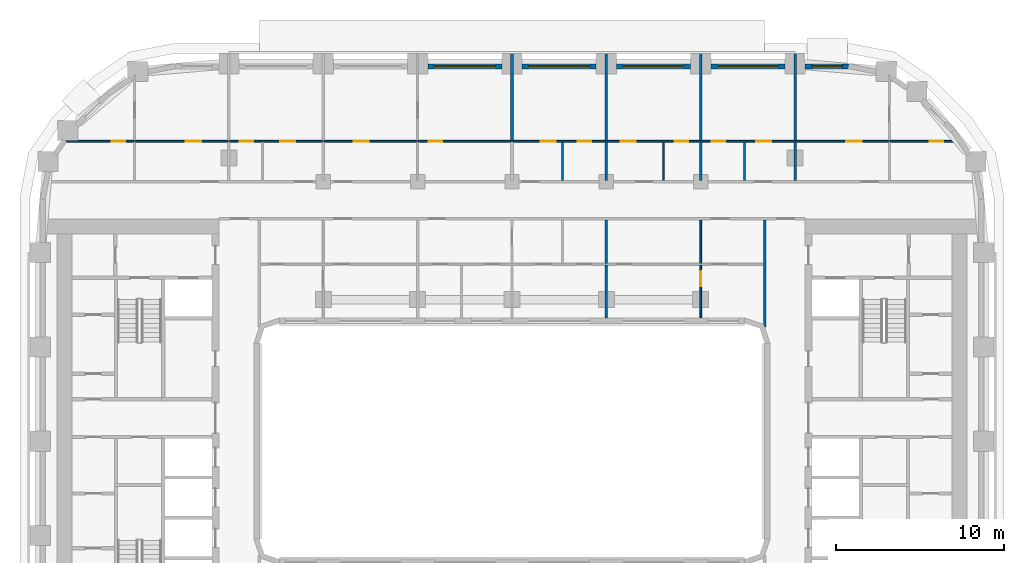
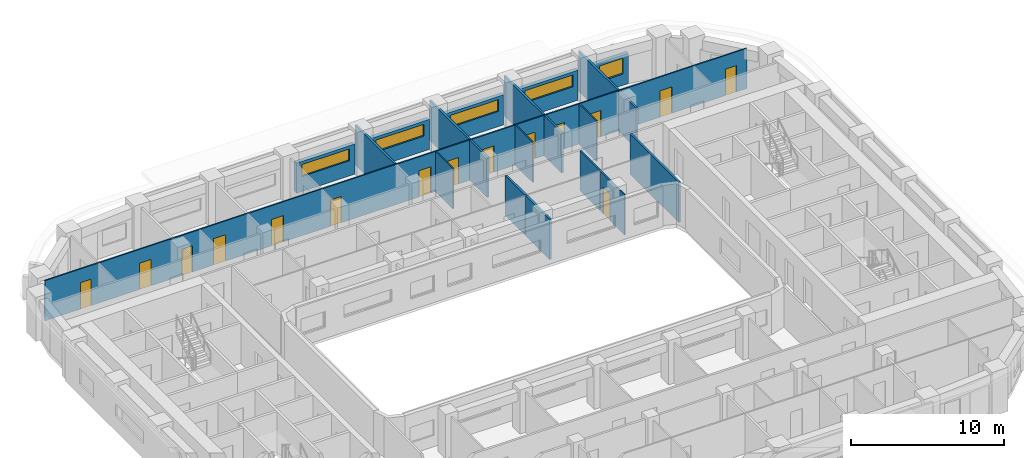
# One storey, part 9 of 21: 21 walls, 15 doors, 5 windows, 20 openings.
"""IFC4 building model written with IfcOpenShell, lengths in metres."""

import ifcopenshell
import ifcopenshell.guid

model = None  # the IFC model being written
_history = None  # IfcOwnerHistory: only IFC2X3 demands one
_inside = {}  # id of a spatial element -> (the spatial element, [elements in it])
_under = {}  # id of a project, library or spatial element -> (it, [spatial elements below it])
_declared = {}  # id of a project -> (the project, [libraries it declares])
_typed = {}  # id of a type object -> (the type object, [elements of that type])
_made_of = {}  # id of a material, layer set ... -> (it, [elements and type objects made of it])


def new_model(schema):
    """Start an empty IFC model of exactly this schema.

    Asked for "IFC4X3", IfcOpenShell would pick the latest addendum, in which some entities
    have other attributes; the version numbers below select the first issue.
    IFC2X3 requires an IfcOwnerHistory on every rooted entity: one is made here for all.
    """
    global model, _history
    if schema == "IFC4X3":
        model = ifcopenshell.file(schema_version=(4, 3, 0, 0))
    else:
        model = ifcopenshell.file(schema=schema)
    _inside.clear()
    _under.clear()
    _declared.clear()
    _typed.clear()
    _made_of.clear()
    _history = None
    if model.schema == "IFC2X3":
        org = make("IfcOrganization", Name="unknown")
        user = make(
            "IfcPersonAndOrganization",
            ThePerson=make("IfcPerson", FamilyName="unknown"),
            TheOrganization=org,
        )
        app = make(
            "IfcApplication",
            ApplicationDeveloper=org,
            Version="unknown",
            ApplicationFullName="unknown",
            ApplicationIdentifier="unknown",
        )
        _history = make(
            "IfcOwnerHistory",
            OwningUser=user,
            OwningApplication=app,
            ChangeAction="ADDED",
            CreationDate=0,
        )
    return model


def make(cls, **values):
    """One entity of the class cls with the attributes given. An attribute that is None is left unset."""
    return model.create_entity(
        cls, **{name: value for name, value in values.items() if value is not None}
    )


def rooted(cls, **values):
    """An entity with a GlobalId (a new one), such as an element, a storey or a relation."""
    return make(cls, GlobalId=ifcopenshell.guid.new(), OwnerHistory=_history, **values)


def si_unit(unit_type, name, prefix=None):
    """IfcSIUnit, for example si_unit("LENGTHUNIT", "METRE", prefix="MILLI")."""
    return make("IfcSIUnit", UnitType=unit_type, Prefix=prefix, Name=name)


def assignment(units):
    """IfcUnitAssignment: the units of a project."""
    return None if units is None else make("IfcUnitAssignment", Units=units)


def point(xyz):
    """IfcCartesianPoint."""
    return None if xyz is None else make("IfcCartesianPoint", Coordinates=xyz)


def direction(xyz):
    """IfcDirection."""
    return None if xyz is None else make("IfcDirection", DirectionRatios=xyz)


def frame(location, z_axis=None, x_axis=None):
    """IfcAxis2Placement3D, a coordinate frame: its origin and axes. An axis left out is left unset."""
    return make(
        "IfcAxis2Placement3D",
        Location=point(location),
        Axis=direction(z_axis),
        RefDirection=direction(x_axis),
    )


def frame_2d(location, x_axis=None):
    """IfcAxis2Placement2D, a coordinate frame in the plane: its origin and x axis."""
    return make(
        "IfcAxis2Placement2D", Location=point(location), RefDirection=direction(x_axis)
    )


def origin():
    """The frame at (0, 0, 0) with its axes left unset."""
    return frame((0.0, 0.0, 0.0))


def place(relative_to, where):
    """IfcLocalPlacement: puts the frame where relative to a parent placement (None: the world)."""
    return make(
        "IfcLocalPlacement", PlacementRelTo=relative_to, RelativePlacement=where
    )


def context(
    kind, dimensions, precision=None, world=None, true_north=None, identifier=None
):
    """IfcGeometricRepresentationContext, for example the 3D "Model" context."""
    return make(
        "IfcGeometricRepresentationContext",
        ContextIdentifier=identifier,
        ContextType=kind,
        CoordinateSpaceDimension=dimensions,
        Precision=precision,
        WorldCoordinateSystem=world,
        TrueNorth=true_north,
    )


def subcontext(parent, identifier, kind, view, scale=None):
    """IfcGeometricRepresentationSubContext, for example "Body" below "Model"."""
    return make(
        "IfcGeometricRepresentationSubContext",
        ContextIdentifier=identifier,
        ContextType=kind,
        ParentContext=parent,
        TargetScale=scale,
        TargetView=view,
    )


def project(units=None, contexts=None):
    """IfcProject with its units and contexts."""
    return rooted(
        "IfcProject",
        Name="project",
        RepresentationContexts=contexts,
        UnitsInContext=assignment(units),
    )


def spatial(cls, under=None, at=None, **own):
    """A site, building, storey or space (cls), placed at a placement, below another one or the project."""
    s = rooted(cls, ObjectPlacement=at, **own)
    if under is not None:
        _under.setdefault(under.id(), (under, []))[1].append(s)
    return s


def profile(cls, at=None, kind="AREA", **sizes):
    """A parametric profile (cls). Its sizes go by their IFC names, for example OverallWidth=200.0."""
    return make(cls, ProfileType=kind, Position=at, **sizes)


def rectangle(**sizes):
    """IfcRectangleProfileDef."""
    return profile("IfcRectangleProfileDef", **sizes)


def extrude(swept, where, along, depth):
    """IfcExtrudedAreaSolid: the profile swept, set in the frame where, extruded along a direction by depth."""
    return make(
        "IfcExtrudedAreaSolid",
        SweptArea=swept,
        Position=where,
        ExtrudedDirection=direction(along),
        Depth=depth,
    )


def shape(context_of_items, identifier, shape_type, items):
    """IfcShapeRepresentation: the items that make up one representation, for example the "Body"."""
    return make(
        "IfcShapeRepresentation",
        ContextOfItems=context_of_items,
        RepresentationIdentifier=identifier,
        RepresentationType=shape_type,
        Items=items,
    )


def material(Name=None, Category=None):
    """IfcMaterial."""
    return make("IfcMaterial", Name=Name, Category=Category)


def layer(
    of_material, thickness, ventilated=None, Name=None, Category=None, Priority=None
):
    """IfcMaterialLayer: one layer of a wall or slab, of a material (None: an air gap)."""
    return make(
        "IfcMaterialLayer",
        Material=of_material,
        LayerThickness=thickness,
        IsVentilated=ventilated,
        Name=Name,
        Category=Category,
        Priority=Priority,
    )


def layer_set(layers, Name=None):
    """IfcMaterialLayerSet."""
    return make("IfcMaterialLayerSet", MaterialLayers=layers, LayerSetName=Name)


def made_of(thing, what):
    """Note that an element or type object is made of a material, layer set ...; save() writes the relation."""
    if what is not None:
        _made_of.setdefault(what.id(), (what, []))[1].append(thing)
    return thing


def type_object(cls, material=None, **own):
    """A type object (cls), such as IfcWallType, which elements share."""
    return made_of(rooted(cls, **own), material)


def element(
    cls,
    number,
    at=None,
    inside=None,
    cuts=None,
    type_object=None,
    material=None,
    context=None,
    identifier="Body",
    shape_type=None,
    held_by="IfcProductDefinitionShape",
    body=None,
    shapes=None,
    **own,
):
    """One element of the class cls, such as IfcWall. Its Tag is "e" and its number.

    at: its placement. inside: the storey or other place that contains it. cuts: it is an
    opening in that element (IfcRelVoidsElement). A single representation is given by context,
    identifier, shape_type and body (its items); several are given by shapes. held_by: the class
    of the entity that holds the representations. save() writes the other relations.
    """
    e = rooted(cls, Tag="e%d" % number, ObjectPlacement=at, **own)
    if body is not None:
        shapes = [shape(context, identifier, shape_type, body)]
    if shapes is not None:
        e.Representation = make(held_by, Representations=shapes)
    if inside is not None:
        _inside.setdefault(inside.id(), (inside, []))[1].append(e)
    if cuts is not None:
        rooted(
            "IfcRelVoidsElement", RelatingBuildingElement=cuts, RelatedOpeningElement=e
        )
    if type_object is not None:
        _typed.setdefault(type_object.id(), (type_object, []))[1].append(e)
    return made_of(e, material)


def fill(opening, filler):
    """IfcRelFillsElement: the door or window that sits in an opening."""
    return rooted(
        "IfcRelFillsElement",
        RelatingOpeningElement=opening,
        RelatedBuildingElement=filler,
    )


def aggregate(whole, parts):
    """IfcRelAggregates: a whole, such as a stair, and the parts it consists of."""
    return rooted("IfcRelAggregates", RelatingObject=whole, RelatedObjects=parts)


def save(model, path):
    """Write the relations noted so far, then the file.

    IfcRelAggregates (storeys below a building ...), IfcRelContainedInSpatialStructure (elements
    in a storey), IfcRelDefinesByType, IfcRelAssociatesMaterial and IfcRelDeclares: one each for
    every whole, place, type object, material and project.
    """
    for whole, parts in _under.values():
        aggregate(whole, parts)
    for where, things in _inside.values():
        rooted(
            "IfcRelContainedInSpatialStructure",
            RelatedElements=things,
            RelatingStructure=where,
        )
    for kind, things in _typed.values():
        rooted("IfcRelDefinesByType", RelatedObjects=things, RelatingType=kind)
    for what, things in _made_of.values():
        rooted("IfcRelAssociatesMaterial", RelatedObjects=things, RelatingMaterial=what)
    for by, libraries in _declared.values():
        rooted("IfcRelDeclares", RelatingContext=by, RelatedDefinitions=libraries)
    model.write(path)


model = new_model("IFC4")

# Units and contexts
model_context = context("Model", 3, precision=1e-05, world=origin(), true_north=direction((0.0, 1.0)))
body_context = subcontext(model_context, "Body", "Model", "MODEL_VIEW")
ifc_project = project(units=[si_unit("LENGTHUNIT", "METRE"), si_unit("AREAUNIT", "SQUARE_METRE"), si_unit("VOLUMEUNIT", "CUBIC_METRE"), si_unit("PLANEANGLEUNIT", "RADIAN"), si_unit("MASSUNIT", "GRAM", prefix="KILO")], contexts=[model_context])

# Site, building, storey
site_placement = place(None, origin())
site = spatial("IfcSite", under=ifc_project, at=site_placement, CompositionType="ELEMENT")
building_placement = place(site_placement, origin())
building = spatial("IfcBuilding", under=site, at=building_placement, Name="Kiln Ring Residences", CompositionType="ELEMENT")
storey_placement = place(building_placement, frame((0.0, 0.0, 114.800048828125)))
storey = spatial("IfcBuildingStorey", under=building, at=storey_placement, Name="L29", CompositionType="ELEMENT", Elevation=114.800048828125)

# Wall, opening, window
ifc_material_1 = material(Name="Brick masonry, dark clay brick", Category="masonry")
ifc_layer_1 = layer(ifc_material_1, 0.300048828125)
ifc_layer_set_1 = layer_set([ifc_layer_1], Name="EW-300 BRICK WALL")
wall_type_1 = type_object("IfcWallType", Name="EW-300 BRICK WALL", PredefinedType="SOLIDWALL", material=ifc_layer_set_1)
wall_1_placement = place(storey_placement, frame((20.0, 22.25, 0.0), z_axis=(0.0, 0.0, 1.0), x_axis=(-1.0, 0.0, 0.0)))
wall_1 = element("IfcWall", 1, at=wall_1_placement, inside=storey, type_object=wall_type_1, Name="Facade wall L29 28", PredefinedType="SOLIDWALL", context=body_context, shape_type="SweptSolid", body=[
    extrude(rectangle(XDim=2.60009765625, YDim=0.300048828125, at=frame_2d((1.300048828125, 0.0))), origin(), (0.0, 0.0, 1.0), 2.39990234375),
])
opening_1_placement = place(wall_1_placement, frame((0.39990234375, 0.0, 0.89990234375)))
opening_1 = element("IfcOpeningElement", 2, at=opening_1_placement, cuts=wall_1, Name="Opening W2", PredefinedType="OPENING", context=body_context, shape_type="SweptSolid", body=[
    extrude(rectangle(XDim=1.800048828125, YDim=1.25, at=frame_2d((0.89990234375, 0.625))), frame((0.0, 0.159912109375, 0.0), z_axis=(0.0, -1.0, 0.0), x_axis=(1.0, 0.0, 0.0)), (0.0, 0.0, 1.0), 0.320068359375),
])
ifc_material_2 = material(Name="Aluminium frame with double glazing", Category="aluminium")
window_type_1 = type_object("IfcWindowType", Name="WINDOW 1800 x 1250", PartitioningType="SINGLE_PANEL", PredefinedType="WINDOW", material=ifc_material_2)
window_1_placement = place(opening_1_placement, origin())
window_1 = element("IfcWindow", 3, at=window_1_placement, inside=storey, type_object=window_type_1, Name="Window L29 14", OverallHeight=1.25, OverallWidth=1.800048828125, PartitioningType="SINGLE_PANEL", PredefinedType="WINDOW", context=body_context, shape_type="SweptSolid", body=[
    extrude(rectangle(XDim=1.800048828125, YDim=1.25, at=frame_2d((0.89990234375, 0.625))), frame((0.0, 0.030029296875, 0.0), z_axis=(0.0, -1.0, 0.0), x_axis=(1.0, 0.0, 0.0)), (0.0, 0.0, 1.0), 0.06005859375),
])
fill(opening_1, window_1)

wall_2_placement = place(storey_placement, frame((16.199951171875, 22.25, 0.0), z_axis=(0.0, 0.0, 1.0), x_axis=(-1.0, 0.0, 0.0)))
wall_2 = element("IfcWall", 4, at=wall_2_placement, inside=storey, type_object=wall_type_1, Name="Facade wall L29 29", PredefinedType="SOLIDWALL", context=body_context, shape_type="SweptSolid", body=[
    extrude(rectangle(XDim=4.39990234375, YDim=0.300048828125, at=frame_2d((2.199951171875, 0.0))), origin(), (0.0, 0.0, 1.0), 2.39990234375),
])
opening_2_placement = place(wall_2_placement, frame((0.39990234375, 0.0, 1.199951171875)))
opening_2 = element("IfcOpeningElement", 5, at=opening_2_placement, cuts=wall_2, Name="Opening W4", PredefinedType="OPENING", context=body_context, shape_type="SweptSolid", body=[
    extrude(rectangle(XDim=3.60009765625, YDim=0.949951171875, at=frame_2d((1.800048828125, 0.47509765625))), frame((0.0, 0.159912109375, 0.0), z_axis=(0.0, -1.0, 0.0), x_axis=(1.0, 0.0, 0.0)), (0.0, 0.0, 1.0), 0.320068359375),
])
ifc_material_3 = material(Name="Aluminium frame with double glazing", Category="aluminium")
window_type_2 = type_object("IfcWindowType", Name="WINDOW 3600 x 950", PartitioningType="SINGLE_PANEL", PredefinedType="WINDOW", material=ifc_material_3)
window_2_placement = place(opening_2_placement, origin())
window_2 = element("IfcWindow", 6, at=window_2_placement, inside=storey, type_object=window_type_2, Name="Window L29 15", OverallHeight=0.949951171875, OverallWidth=3.60009765625, PartitioningType="SINGLE_PANEL", PredefinedType="WINDOW", context=body_context, shape_type="SweptSolid", body=[
    extrude(rectangle(XDim=3.60009765625, YDim=0.949951171875, at=frame_2d((1.800048828125, 0.47509765625))), frame((0.0, 0.030029296875, 0.0), z_axis=(0.0, -1.0, 0.0), x_axis=(1.0, 0.0, 0.0)), (0.0, 0.0, 1.0), 0.06005859375),
])
fill(opening_2, window_2)

wall_3_placement = place(storey_placement, frame((10.60009765625, 22.25, 0.0), z_axis=(0.0, 0.0, 1.0), x_axis=(-1.0, 0.0, 0.0)))
wall_3 = element("IfcWall", 7, at=wall_3_placement, inside=storey, type_object=wall_type_1, Name="Facade wall L29 30", PredefinedType="SOLIDWALL", context=body_context, shape_type="SweptSolid", body=[
    extrude(rectangle(XDim=4.400146484375, YDim=0.300048828125, at=frame_2d((2.2001953125, 0.0))), origin(), (0.0, 0.0, 1.0), 2.39990234375),
])
opening_3_placement = place(wall_3_placement, frame((0.39990234375, 0.0, 1.199951171875)))
opening_3 = element("IfcOpeningElement", 8, at=opening_3_placement, cuts=wall_3, Name="Opening W4", PredefinedType="OPENING", context=body_context, shape_type="SweptSolid", body=[
    extrude(rectangle(XDim=3.60009765625, YDim=0.949951171875, at=frame_2d((1.800048828125, 0.47509765625))), frame((0.0, 0.159912109375, 0.0), z_axis=(0.0, -1.0, 0.0), x_axis=(1.0, 0.0, 0.0)), (0.0, 0.0, 1.0), 0.320068359375),
])
window_3_placement = place(opening_3_placement, origin())
window_3 = element("IfcWindow", 9, at=window_3_placement, inside=storey, type_object=window_type_2, Name="Window L29 16", OverallHeight=0.949951171875, OverallWidth=3.60009765625, PartitioningType="SINGLE_PANEL", PredefinedType="WINDOW", context=body_context, shape_type="SweptSolid", body=[
    extrude(rectangle(XDim=3.60009765625, YDim=0.949951171875, at=frame_2d((1.800048828125, 0.47509765625))), frame((0.0, 0.030029296875, 0.0), z_axis=(0.0, -1.0, 0.0), x_axis=(1.0, 0.0, 0.0)), (0.0, 0.0, 1.0), 0.06005859375),
])
fill(opening_3, window_3)

wall_4_placement = place(storey_placement, frame((5.0, 22.25, 0.0), z_axis=(0.0, 0.0, 1.0), x_axis=(-1.0, 0.0, 0.0)))
wall_4 = element("IfcWall", 10, at=wall_4_placement, inside=storey, type_object=wall_type_1, Name="Facade wall L29 31", PredefinedType="SOLIDWALL", context=body_context, shape_type="SweptSolid", body=[
    extrude(rectangle(XDim=4.39990234375, YDim=0.300048828125, at=frame_2d((2.199951171875, 0.0))), origin(), (0.0, 0.0, 1.0), 2.39990234375),
])
opening_4_placement = place(wall_4_placement, frame((0.39990234375, 0.0, 1.199951171875)))
opening_4 = element("IfcOpeningElement", 11, at=opening_4_placement, cuts=wall_4, Name="Opening W4", PredefinedType="OPENING", context=body_context, shape_type="SweptSolid", body=[
    extrude(rectangle(XDim=3.60009765625, YDim=0.949951171875, at=frame_2d((1.800048828125, 0.47509765625))), frame((0.0, 0.159912109375, 0.0), z_axis=(0.0, -1.0, 0.0), x_axis=(1.0, 0.0, 0.0)), (0.0, 0.0, 1.0), 0.320068359375),
])
window_4_placement = place(opening_4_placement, origin())
window_4 = element("IfcWindow", 12, at=window_4_placement, inside=storey, type_object=window_type_2, Name="Window L29 17", OverallHeight=0.949951171875, OverallWidth=3.60009765625, PartitioningType="SINGLE_PANEL", PredefinedType="WINDOW", context=body_context, shape_type="SweptSolid", body=[
    extrude(rectangle(XDim=3.60009765625, YDim=0.949951171875, at=frame_2d((1.800048828125, 0.47509765625))), frame((0.0, 0.030029296875, 0.0), z_axis=(0.0, -1.0, 0.0), x_axis=(1.0, 0.0, 0.0)), (0.0, 0.0, 1.0), 0.06005859375),
])
fill(opening_4, window_4)

wall_5_placement = place(storey_placement, frame((-0.60009765625, 22.25, 0.0), z_axis=(0.0, 0.0, 1.0), x_axis=(-1.0, 0.0, 0.0)))
wall_5 = element("IfcWall", 13, at=wall_5_placement, inside=storey, type_object=wall_type_1, Name="Facade wall L29 32", PredefinedType="SOLIDWALL", context=body_context, shape_type="SweptSolid", body=[
    extrude(rectangle(XDim=4.39990234375, YDim=0.300048828125, at=frame_2d((2.199951171875, 0.0))), origin(), (0.0, 0.0, 1.0), 2.39990234375),
])
opening_5_placement = place(wall_5_placement, frame((0.39990234375, 0.0, 1.199951171875)))
opening_5 = element("IfcOpeningElement", 14, at=opening_5_placement, cuts=wall_5, Name="Opening W4", PredefinedType="OPENING", context=body_context, shape_type="SweptSolid", body=[
    extrude(rectangle(XDim=3.60009765625, YDim=0.949951171875, at=frame_2d((1.800048828125, 0.47509765625))), frame((0.0, 0.159912109375, 0.0), z_axis=(0.0, -1.0, 0.0), x_axis=(1.0, 0.0, 0.0)), (0.0, 0.0, 1.0), 0.320068359375),
])
window_5_placement = place(opening_5_placement, origin())
window_5 = element("IfcWindow", 15, at=window_5_placement, inside=storey, type_object=window_type_2, Name="Window L29 18", OverallHeight=0.949951171875, OverallWidth=3.60009765625, PartitioningType="SINGLE_PANEL", PredefinedType="WINDOW", context=body_context, shape_type="SweptSolid", body=[
    extrude(rectangle(XDim=3.60009765625, YDim=0.949951171875, at=frame_2d((1.800048828125, 0.47509765625))), frame((0.0, 0.030029296875, 0.0), z_axis=(0.0, -1.0, 0.0), x_axis=(1.0, 0.0, 0.0)), (0.0, 0.0, 1.0), 0.06005859375),
])
fill(opening_5, window_5)

# Wall, openings, doors
ifc_material_4 = material(Name="Gypsum board on steel studs", Category="steel")
ifc_layer_2 = layer(ifc_material_4, 0.10009765625)
ifc_layer_set_2 = layer_set([ifc_layer_2], Name="PARTITION-100")
wall_type_2 = type_object("IfcWallType", Name="PARTITION-100", PredefinedType="PARTITIONING", material=ifc_layer_set_2)
wall_6_placement = place(storey_placement, frame((-26.465087890625, 17.800048828125, 0.0), z_axis=(0.0, 0.0, 1.0), x_axis=(1.0, 0.0, 0.0)))
wall_6 = element("IfcWall", 16, at=wall_6_placement, inside=storey, type_object=wall_type_2, Name="Partition 006", PredefinedType="PARTITIONING", context=body_context, shape_type="SweptSolid", body=[
    extrude(rectangle(XDim=52.859130859375, YDim=0.10009765625, at=frame_2d((26.4296875, 0.0))), origin(), (0.0, 0.0, 1.0), 3.199951171875),
])
opening_6_placement = place(wall_6_placement, frame((2.697265625, 0.0, 0.0)))
opening_6 = element("IfcOpeningElement", 17, at=opening_6_placement, cuts=wall_6, Name="Opening L29-D020", PredefinedType="OPENING", context=body_context, shape_type="SweptSolid", body=[
    extrude(rectangle(XDim=0.800048828125, YDim=2.10009765625, at=frame_2d((0.39990234375, 1.050048828125))), frame((0.0, 0.06005859375, 0.0), z_axis=(0.0, -1.0, 0.0), x_axis=(1.0, 0.0, 0.0)), (0.0, 0.0, 1.0), 0.1201171875),
])
opening_7_placement = place(wall_6_placement, frame((7.115234375, 0.0, 0.0)))
opening_7 = element("IfcOpeningElement", 18, at=opening_7_placement, cuts=wall_6, Name="Opening L29-D021", PredefinedType="OPENING", context=body_context, shape_type="SweptSolid", body=[
    extrude(rectangle(XDim=0.89990234375, YDim=2.10009765625, at=frame_2d((0.449951171875, 1.050048828125))), frame((0.0, 0.06005859375, 0.0), z_axis=(0.0, -1.0, 0.0), x_axis=(1.0, 0.0, 0.0)), (0.0, 0.0, 1.0), 0.1201171875),
])
opening_8_placement = place(wall_6_placement, frame((10.315185546875, 0.0, 0.0)))
opening_8 = element("IfcOpeningElement", 19, at=opening_8_placement, cuts=wall_6, Name="Opening L29-D024", PredefinedType="OPENING", context=body_context, shape_type="SweptSolid", body=[
    extrude(rectangle(XDim=0.800048828125, YDim=2.10009765625, at=frame_2d((0.39990234375, 1.050048828125))), frame((0.0, 0.06005859375, 0.0), z_axis=(0.0, -1.0, 0.0), x_axis=(1.0, 0.0, 0.0)), (0.0, 0.0, 1.0), 0.1201171875),
])
opening_9_placement = place(wall_6_placement, frame((12.715087890625, 0.0, 0.0)))
opening_9 = element("IfcOpeningElement", 20, at=opening_9_placement, cuts=wall_6, Name="Opening L29-D025", PredefinedType="OPENING", context=body_context, shape_type="SweptSolid", body=[
    extrude(rectangle(XDim=0.89990234375, YDim=2.10009765625, at=frame_2d((0.449951171875, 1.050048828125))), frame((0.0, 0.06005859375, 0.0), z_axis=(0.0, -1.0, 0.0), x_axis=(1.0, 0.0, 0.0)), (0.0, 0.0, 1.0), 0.1201171875),
])
opening_10_placement = place(wall_6_placement, frame((21.51513671875, 0.0, 0.0)))
opening_10 = element("IfcOpeningElement", 21, at=opening_10_placement, cuts=wall_6, Name="Opening L29-D027", PredefinedType="OPENING", context=body_context, shape_type="SweptSolid", body=[
    extrude(rectangle(XDim=0.800048828125, YDim=2.10009765625, at=frame_2d((0.39990234375, 1.050048828125))), frame((0.0, 0.06005859375, 0.0), z_axis=(0.0, -1.0, 0.0), x_axis=(1.0, 0.0, 0.0)), (0.0, 0.0, 1.0), 0.1201171875),
])
opening_11_placement = place(wall_6_placement, frame((17.065185546875, 0.0, 0.0)))
opening_11 = element("IfcOpeningElement", 22, at=opening_11_placement, cuts=wall_6, Name="Opening L29-D028", PredefinedType="OPENING", context=body_context, shape_type="SweptSolid", body=[
    extrude(rectangle(XDim=0.89990234375, YDim=2.10009765625, at=frame_2d((0.449951171875, 1.050048828125))), frame((0.0, 0.06005859375, 0.0), z_axis=(0.0, -1.0, 0.0), x_axis=(1.0, 0.0, 0.0)), (0.0, 0.0, 1.0), 0.1201171875),
])
opening_12_placement = place(wall_6_placement, frame((30.365234375, 0.0, 0.0)))
opening_12 = element("IfcOpeningElement", 23, at=opening_12_placement, cuts=wall_6, Name="Opening L29-D031", PredefinedType="OPENING", context=body_context, shape_type="SweptSolid", body=[
    extrude(rectangle(XDim=0.800048828125, YDim=2.10009765625, at=frame_2d((0.39990234375, 1.050048828125))), frame((0.0, 0.06005859375, 0.0), z_axis=(0.0, -1.0, 0.0), x_axis=(1.0, 0.0, 0.0)), (0.0, 0.0, 1.0), 0.1201171875),
])
opening_13_placement = place(wall_6_placement, frame((28.165283203125, 0.0, 0.0)))
opening_13 = element("IfcOpeningElement", 24, at=opening_13_placement, cuts=wall_6, Name="Opening L29-D032", PredefinedType="OPENING", context=body_context, shape_type="SweptSolid", body=[
    extrude(rectangle(XDim=0.89990234375, YDim=2.10009765625, at=frame_2d((0.449951171875, 1.050048828125))), frame((0.0, 0.06005859375, 0.0), z_axis=(0.0, -1.0, 0.0), x_axis=(1.0, 0.0, 0.0)), (0.0, 0.0, 1.0), 0.1201171875),
])
opening_14_placement = place(wall_6_placement, frame((36.115234375, 0.0, 0.0)))
opening_14 = element("IfcOpeningElement", 25, at=opening_14_placement, cuts=wall_6, Name="Opening L29-D034", PredefinedType="OPENING", context=body_context, shape_type="SweptSolid", body=[
    extrude(rectangle(XDim=0.800048828125, YDim=2.10009765625, at=frame_2d((0.39990234375, 1.050048828125))), frame((0.0, 0.06005859375, 0.0), z_axis=(0.0, -1.0, 0.0), x_axis=(1.0, 0.0, 0.0)), (0.0, 0.0, 1.0), 0.1201171875),
])
opening_15_placement = place(wall_6_placement, frame((32.915283203125, 0.0, 0.0)))
opening_15 = element("IfcOpeningElement", 26, at=opening_15_placement, cuts=wall_6, Name="Opening L29-D035", PredefinedType="OPENING", context=body_context, shape_type="SweptSolid", body=[
    extrude(rectangle(XDim=0.89990234375, YDim=2.10009765625, at=frame_2d((0.449951171875, 1.050048828125))), frame((0.0, 0.06005859375, 0.0), z_axis=(0.0, -1.0, 0.0), x_axis=(1.0, 0.0, 0.0)), (0.0, 0.0, 1.0), 0.1201171875),
])
opening_16_placement = place(wall_6_placement, frame((38.315185546875, 0.0, 0.0)))
opening_16 = element("IfcOpeningElement", 27, at=opening_16_placement, cuts=wall_6, Name="Opening L29-D037", PredefinedType="OPENING", context=body_context, shape_type="SweptSolid", body=[
    extrude(rectangle(XDim=0.800048828125, YDim=2.10009765625, at=frame_2d((0.39990234375, 1.050048828125))), frame((0.0, 0.06005859375, 0.0), z_axis=(0.0, -1.0, 0.0), x_axis=(1.0, 0.0, 0.0)), (0.0, 0.0, 1.0), 0.1201171875),
])
opening_17_placement = place(wall_6_placement, frame((40.965087890625, 0.0, 0.0)))
opening_17 = element("IfcOpeningElement", 28, at=opening_17_placement, cuts=wall_6, Name="Opening L29-D038", PredefinedType="OPENING", context=body_context, shape_type="SweptSolid", body=[
    extrude(rectangle(XDim=0.89990234375, YDim=2.10009765625, at=frame_2d((0.449951171875, 1.050048828125))), frame((0.0, 0.06005859375, 0.0), z_axis=(0.0, -1.0, 0.0), x_axis=(1.0, 0.0, 0.0)), (0.0, 0.0, 1.0), 0.1201171875),
])
opening_18_placement = place(wall_6_placement, frame((51.26513671875, 0.0, 0.0)))
opening_18 = element("IfcOpeningElement", 29, at=opening_18_placement, cuts=wall_6, Name="Opening L29-D040", PredefinedType="OPENING", context=body_context, shape_type="SweptSolid", body=[
    extrude(rectangle(XDim=0.800048828125, YDim=2.10009765625, at=frame_2d((0.39990234375, 1.050048828125))), frame((0.0, 0.06005859375, 0.0), z_axis=(0.0, -1.0, 0.0), x_axis=(1.0, 0.0, 0.0)), (0.0, 0.0, 1.0), 0.1201171875),
])
opening_19_placement = place(wall_6_placement, frame((46.315185546875, 0.0, 0.0)))
opening_19 = element("IfcOpeningElement", 30, at=opening_19_placement, cuts=wall_6, Name="Opening L29-D041", PredefinedType="OPENING", context=body_context, shape_type="SweptSolid", body=[
    extrude(rectangle(XDim=0.89990234375, YDim=2.10009765625, at=frame_2d((0.449951171875, 1.050048828125))), frame((0.0, 0.06005859375, 0.0), z_axis=(0.0, -1.0, 0.0), x_axis=(1.0, 0.0, 0.0)), (0.0, 0.0, 1.0), 0.1201171875),
])
ifc_material_5 = material(Name="Timber door leaf", Category="wood")
door_type_1 = type_object("IfcDoorType", Name="FLAT-DOOR-800-PL", OperationType="SINGLE_SWING_LEFT", PredefinedType="DOOR", material=ifc_material_5)
door_1_placement = place(opening_6_placement, origin())
door_1 = element("IfcDoor", 31, at=door_1_placement, inside=storey, type_object=door_type_1, Name="Door L29-D020", OperationType="SINGLE_SWING_RIGHT", OverallHeight=2.10009765625, OverallWidth=0.800048828125, PredefinedType="DOOR", context=body_context, shape_type="SweptSolid", body=[
    extrude(rectangle(XDim=0.800048828125, YDim=2.10009765625, at=frame_2d((0.39990234375, 1.050048828125))), frame((0.0, 0.02490234375, 0.0), z_axis=(0.0, -1.0, 0.0), x_axis=(1.0, 0.0, 0.0)), (0.0, 0.0, 1.0), 0.050048828125),
])
fill(opening_6, door_1)
door_2_placement = place(opening_8_placement, origin())
door_2 = element("IfcDoor", 32, at=door_2_placement, inside=storey, type_object=door_type_1, Name="Door L29-D024", OperationType="SINGLE_SWING_RIGHT", OverallHeight=2.10009765625, OverallWidth=0.800048828125, PredefinedType="DOOR", context=body_context, shape_type="SweptSolid", body=[
    extrude(rectangle(XDim=0.800048828125, YDim=2.10009765625, at=frame_2d((0.39990234375, 1.050048828125))), frame((0.0, 0.02490234375, 0.0), z_axis=(0.0, -1.0, 0.0), x_axis=(1.0, 0.0, 0.0)), (0.0, 0.0, 1.0), 0.050048828125),
])
fill(opening_8, door_2)
door_3_placement = place(opening_10_placement, origin())
door_3 = element("IfcDoor", 33, at=door_3_placement, inside=storey, type_object=door_type_1, Name="Door L29-D027", OperationType="SINGLE_SWING_LEFT", OverallHeight=2.10009765625, OverallWidth=0.800048828125, PredefinedType="DOOR", context=body_context, shape_type="SweptSolid", body=[
    extrude(rectangle(XDim=0.800048828125, YDim=2.10009765625, at=frame_2d((0.39990234375, 1.050048828125))), frame((0.0, 0.02490234375, 0.0), z_axis=(0.0, -1.0, 0.0), x_axis=(1.0, 0.0, 0.0)), (0.0, 0.0, 1.0), 0.050048828125),
])
fill(opening_10, door_3)
door_4_placement = place(opening_12_placement, origin())
door_4 = element("IfcDoor", 34, at=door_4_placement, inside=storey, type_object=door_type_1, Name="Door L29-D031", OperationType="SINGLE_SWING_LEFT", OverallHeight=2.10009765625, OverallWidth=0.800048828125, PredefinedType="DOOR", context=body_context, shape_type="SweptSolid", body=[
    extrude(rectangle(XDim=0.800048828125, YDim=2.10009765625, at=frame_2d((0.39990234375, 1.050048828125))), frame((0.0, 0.02490234375, 0.0), z_axis=(0.0, -1.0, 0.0), x_axis=(1.0, 0.0, 0.0)), (0.0, 0.0, 1.0), 0.050048828125),
])
fill(opening_12, door_4)
door_5_placement = place(opening_14_placement, origin())
door_5 = element("IfcDoor", 35, at=door_5_placement, inside=storey, type_object=door_type_1, Name="Door L29-D034", OperationType="SINGLE_SWING_RIGHT", OverallHeight=2.10009765625, OverallWidth=0.800048828125, PredefinedType="DOOR", context=body_context, shape_type="SweptSolid", body=[
    extrude(rectangle(XDim=0.800048828125, YDim=2.10009765625, at=frame_2d((0.39990234375, 1.050048828125))), frame((0.0, 0.02490234375, 0.0), z_axis=(0.0, -1.0, 0.0), x_axis=(1.0, 0.0, 0.0)), (0.0, 0.0, 1.0), 0.050048828125),
])
fill(opening_14, door_5)
door_6_placement = place(opening_16_placement, origin())
door_6 = element("IfcDoor", 36, at=door_6_placement, inside=storey, type_object=door_type_1, Name="Door L29-D037", OperationType="SINGLE_SWING_LEFT", OverallHeight=2.10009765625, OverallWidth=0.800048828125, PredefinedType="DOOR", context=body_context, shape_type="SweptSolid", body=[
    extrude(rectangle(XDim=0.800048828125, YDim=2.10009765625, at=frame_2d((0.39990234375, 1.050048828125))), frame((0.0, 0.02490234375, 0.0), z_axis=(0.0, -1.0, 0.0), x_axis=(1.0, 0.0, 0.0)), (0.0, 0.0, 1.0), 0.050048828125),
])
fill(opening_16, door_6)
door_7_placement = place(opening_18_placement, origin())
door_7 = element("IfcDoor", 37, at=door_7_placement, inside=storey, type_object=door_type_1, Name="Door L29-D040", OperationType="SINGLE_SWING_RIGHT", OverallHeight=2.10009765625, OverallWidth=0.800048828125, PredefinedType="DOOR", context=body_context, shape_type="SweptSolid", body=[
    extrude(rectangle(XDim=0.800048828125, YDim=2.10009765625, at=frame_2d((0.39990234375, 1.050048828125))), frame((0.0, 0.02490234375, 0.0), z_axis=(0.0, -1.0, 0.0), x_axis=(1.0, 0.0, 0.0)), (0.0, 0.0, 1.0), 0.050048828125),
])
fill(opening_18, door_7)
ifc_material_6 = material(Name="Timber door leaf", Category="wood")
door_type_2 = type_object("IfcDoorType", Name="FLAT-DOOR-900-PL", OperationType="SINGLE_SWING_LEFT", PredefinedType="DOOR", material=ifc_material_6)
door_8_placement = place(opening_7_placement, origin())
door_8 = element("IfcDoor", 38, at=door_8_placement, inside=storey, type_object=door_type_2, Name="Door L29-D021", OperationType="SINGLE_SWING_LEFT", OverallHeight=2.10009765625, OverallWidth=0.89990234375, PredefinedType="DOOR", context=body_context, shape_type="SweptSolid", body=[
    extrude(rectangle(XDim=0.89990234375, YDim=2.10009765625, at=frame_2d((0.449951171875, 1.050048828125))), frame((0.0, 0.02490234375, 0.0), z_axis=(0.0, -1.0, 0.0), x_axis=(1.0, 0.0, 0.0)), (0.0, 0.0, 1.0), 0.050048828125),
])
fill(opening_7, door_8)
door_9_placement = place(opening_9_placement, origin())
door_9 = element("IfcDoor", 39, at=door_9_placement, inside=storey, type_object=door_type_2, Name="Door L29-D025", OperationType="SINGLE_SWING_RIGHT", OverallHeight=2.10009765625, OverallWidth=0.89990234375, PredefinedType="DOOR", context=body_context, shape_type="SweptSolid", body=[
    extrude(rectangle(XDim=0.89990234375, YDim=2.10009765625, at=frame_2d((0.449951171875, 1.050048828125))), frame((0.0, 0.02490234375, 0.0), z_axis=(0.0, -1.0, 0.0), x_axis=(1.0, 0.0, 0.0)), (0.0, 0.0, 1.0), 0.050048828125),
])
fill(opening_9, door_9)
door_10_placement = place(opening_11_placement, origin())
door_10 = element("IfcDoor", 40, at=door_10_placement, inside=storey, type_object=door_type_2, Name="Door L29-D028", OperationType="SINGLE_SWING_RIGHT", OverallHeight=2.10009765625, OverallWidth=0.89990234375, PredefinedType="DOOR", context=body_context, shape_type="SweptSolid", body=[
    extrude(rectangle(XDim=0.89990234375, YDim=2.10009765625, at=frame_2d((0.449951171875, 1.050048828125))), frame((0.0, 0.02490234375, 0.0), z_axis=(0.0, -1.0, 0.0), x_axis=(1.0, 0.0, 0.0)), (0.0, 0.0, 1.0), 0.050048828125),
])
fill(opening_11, door_10)
door_11_placement = place(opening_13_placement, origin())
door_11 = element("IfcDoor", 41, at=door_11_placement, inside=storey, type_object=door_type_2, Name="Door L29-D032", OperationType="SINGLE_SWING_LEFT", OverallHeight=2.10009765625, OverallWidth=0.89990234375, PredefinedType="DOOR", context=body_context, shape_type="SweptSolid", body=[
    extrude(rectangle(XDim=0.89990234375, YDim=2.10009765625, at=frame_2d((0.449951171875, 1.050048828125))), frame((0.0, 0.02490234375, 0.0), z_axis=(0.0, -1.0, 0.0), x_axis=(1.0, 0.0, 0.0)), (0.0, 0.0, 1.0), 0.050048828125),
])
fill(opening_13, door_11)
door_12_placement = place(opening_15_placement, origin())
door_12 = element("IfcDoor", 42, at=door_12_placement, inside=storey, type_object=door_type_2, Name="Door L29-D035", OperationType="SINGLE_SWING_RIGHT", OverallHeight=2.10009765625, OverallWidth=0.89990234375, PredefinedType="DOOR", context=body_context, shape_type="SweptSolid", body=[
    extrude(rectangle(XDim=0.89990234375, YDim=2.10009765625, at=frame_2d((0.449951171875, 1.050048828125))), frame((0.0, 0.02490234375, 0.0), z_axis=(0.0, -1.0, 0.0), x_axis=(1.0, 0.0, 0.0)), (0.0, 0.0, 1.0), 0.050048828125),
])
fill(opening_15, door_12)
door_13_placement = place(opening_17_placement, origin())
door_13 = element("IfcDoor", 43, at=door_13_placement, inside=storey, type_object=door_type_2, Name="Door L29-D038", OperationType="SINGLE_SWING_RIGHT", OverallHeight=2.10009765625, OverallWidth=0.89990234375, PredefinedType="DOOR", context=body_context, shape_type="SweptSolid", body=[
    extrude(rectangle(XDim=0.89990234375, YDim=2.10009765625, at=frame_2d((0.449951171875, 1.050048828125))), frame((0.0, 0.02490234375, 0.0), z_axis=(0.0, -1.0, 0.0), x_axis=(1.0, 0.0, 0.0)), (0.0, 0.0, 1.0), 0.050048828125),
])
fill(opening_17, door_13)
door_14_placement = place(opening_19_placement, origin())
door_14 = element("IfcDoor", 44, at=door_14_placement, inside=storey, type_object=door_type_2, Name="Door L29-D041", OperationType="SINGLE_SWING_LEFT", OverallHeight=2.10009765625, OverallWidth=0.89990234375, PredefinedType="DOOR", context=body_context, shape_type="SweptSolid", body=[
    extrude(rectangle(XDim=0.89990234375, YDim=2.10009765625, at=frame_2d((0.449951171875, 1.050048828125))), frame((0.0, 0.02490234375, 0.0), z_axis=(0.0, -1.0, 0.0), x_axis=(1.0, 0.0, 0.0)), (0.0, 0.0, 1.0), 0.050048828125),
])
fill(opening_19, door_14)

# Walls
for number, where, z_axis, x_axis, name in (
    (45, (3.0, 15.47509765625, 0.0), (0.0, 0.0, 1.0), (0.0, 1.0, 0.0), "Partition 043"),
    (46, (9.0, 15.47509765625, 0.0), (0.0, 0.0, 1.0), (0.0, 1.0, 0.0), "Partition 052"),
):
    element("IfcWall", number, at=place(storey_placement, frame(where, z_axis=z_axis, x_axis=x_axis)), inside=storey, type_object=wall_type_2, Name=name, PredefinedType="PARTITIONING", context=body_context, shape_type="SweptSolid", body=[
        extrude(rectangle(XDim=2.27490234375, YDim=0.10009765625, at=frame_2d((1.137451171875, 0.0))), origin(), (0.0, 0.0, 1.0), 3.199951171875),
    ])

# Wall, opening, door
wall_7_placement = place(storey_placement, frame((11.199951171875, 7.320068359375, 0.0), z_axis=(0.0, 0.0, 1.0), x_axis=(0.0, 1.0, 0.0)))
wall_7 = element("IfcWall", 47, at=wall_7_placement, inside=storey, type_object=wall_type_2, Name="Partition 056", PredefinedType="PARTITIONING", context=body_context, shape_type="SweptSolid", body=[
    extrude(rectangle(XDim=3.1298828125, YDim=0.10009765625, at=frame_2d((1.56494140625, 0.0))), origin(), (0.0, 0.0, 1.0), 3.199951171875),
])
opening_20_placement = place(wall_7_placement, frame((1.8798828125, 0.0, 0.0)))
opening_20 = element("IfcOpeningElement", 48, at=opening_20_placement, cuts=wall_7, Name="Opening L29-D018", PredefinedType="OPENING", context=body_context, shape_type="SweptSolid", body=[
    extrude(rectangle(XDim=0.89990234375, YDim=2.10009765625, at=frame_2d((0.449951171875, 1.050048828125))), frame((0.0, 0.06005859375, 0.0), z_axis=(0.0, -1.0, 0.0), x_axis=(1.0, 0.0, 0.0)), (0.0, 0.0, 1.0), 0.1201171875),
])
door_15_placement = place(opening_20_placement, origin())
door_15 = element("IfcDoor", 49, at=door_15_placement, inside=storey, type_object=door_type_2, Name="Door L29-D018", OperationType="SINGLE_SWING_LEFT", OverallHeight=2.10009765625, OverallWidth=0.89990234375, PredefinedType="DOOR", context=body_context, shape_type="SweptSolid", body=[
    extrude(rectangle(XDim=0.89990234375, YDim=2.10009765625, at=frame_2d((0.449951171875, 1.050048828125))), frame((0.0, 0.02490234375, 0.0), z_axis=(0.0, -1.0, 0.0), x_axis=(1.0, 0.0, 0.0)), (0.0, 0.0, 1.0), 0.050048828125),
])
fill(opening_20, door_15)

# Walls
wall_8_placement = place(storey_placement, frame((11.199951171875, 10.550048828125, 0.0), z_axis=(0.0, 0.0, 1.0), x_axis=(0.0, 1.0, 0.0)))
element("IfcWall", 50, at=wall_8_placement, inside=storey, type_object=wall_type_2, Name="Partition 057", PredefinedType="PARTITIONING", context=body_context, shape_type="SweptSolid", body=[
    extrude(rectangle(XDim=2.574951171875, YDim=0.10009765625, at=frame_2d((1.28759765625, 0.0))), origin(), (0.0, 0.0, 1.0), 3.199951171875),
])
wall_9_placement = place(storey_placement, frame((13.800048828125, 15.47509765625, 0.0), z_axis=(0.0, 0.0, 1.0), x_axis=(0.0, 1.0, 0.0)))
element("IfcWall", 51, at=wall_9_placement, inside=storey, type_object=wall_type_2, Name="Partition 061", PredefinedType="PARTITIONING", context=body_context, shape_type="SweptSolid", body=[
    extrude(rectangle(XDim=2.27490234375, YDim=0.10009765625, at=frame_2d((1.137451171875, 0.0))), origin(), (0.0, 0.0, 1.0), 3.199951171875),
])
ifc_material_7 = material(Name="Brick masonry partition", Category="masonry")
ifc_layer_3 = layer(ifc_material_7, 0.14990234375)
ifc_layer_set_3 = layer_set([ifc_layer_3], Name="PARTITION-150-ei60")
wall_type_3 = type_object("IfcWallType", Name="PARTITION-150-ei60", PredefinedType="PARTITIONING", material=ifc_layer_set_3)
wall_10_placement = place(storey_placement, frame((0.0, 17.85009765625, 0.0), z_axis=(0.0, 0.0, 1.0), x_axis=(0.0, 1.0, 0.0)))
element("IfcWall", 52, at=wall_10_placement, inside=storey, type_object=wall_type_3, Name="Partition 041", PredefinedType="PARTITIONING", context=body_context, shape_type="SweptSolid", body=[
    extrude(rectangle(XDim=5.1298828125, YDim=0.14990234375, at=frame_2d((2.56494140625, 0.0))), origin(), (0.0, 0.0, 1.0), 3.199951171875),
])
wall_11_placement = place(storey_placement, frame((5.60009765625, 7.320068359375, 0.0), z_axis=(0.0, 0.0, 1.0), x_axis=(0.0, 1.0, 0.0)))
element("IfcWall", 53, at=wall_11_placement, inside=storey, type_object=wall_type_3, Name="Partition 047", PredefinedType="PARTITIONING", context=body_context, shape_type="SweptSolid", body=[
    extrude(rectangle(XDim=3.1298828125, YDim=0.14990234375, at=frame_2d((1.56494140625, 0.0))), origin(), (0.0, 0.0, 1.0), 3.199951171875),
])
wall_12_placement = place(storey_placement, frame((5.60009765625, 10.550048828125, 0.0), z_axis=(0.0, 0.0, 1.0), x_axis=(0.0, 1.0, 0.0)))
element("IfcWall", 54, at=wall_12_placement, inside=storey, type_object=wall_type_3, Name="Partition 048", PredefinedType="PARTITIONING", context=body_context, shape_type="SweptSolid", body=[
    extrude(rectangle(XDim=2.574951171875, YDim=0.14990234375, at=frame_2d((1.28759765625, 0.0))), origin(), (0.0, 0.0, 1.0), 3.199951171875),
])
wall_13_placement = place(storey_placement, frame((5.60009765625, 15.47509765625, 0.0), z_axis=(0.0, 0.0, 1.0), x_axis=(0.0, 1.0, 0.0)))
element("IfcWall", 55, at=wall_13_placement, inside=storey, type_object=wall_type_3, Name="Partition 049", PredefinedType="PARTITIONING", context=body_context, shape_type="SweptSolid", body=[
    extrude(rectangle(XDim=2.27490234375, YDim=0.14990234375, at=frame_2d((1.137451171875, 0.0))), origin(), (0.0, 0.0, 1.0), 3.199951171875),
])
wall_14_placement = place(storey_placement, frame((5.60009765625, 17.85009765625, 0.0), z_axis=(0.0, 0.0, 1.0), x_axis=(0.0, 1.0, 0.0)))
element("IfcWall", 56, at=wall_14_placement, inside=storey, type_object=wall_type_3, Name="Partition 050", PredefinedType="PARTITIONING", context=body_context, shape_type="SweptSolid", body=[
    extrude(rectangle(XDim=5.1298828125, YDim=0.14990234375, at=frame_2d((2.56494140625, 0.0))), origin(), (0.0, 0.0, 1.0), 3.199951171875),
])
wall_15_placement = place(storey_placement, frame((11.199951171875, 15.47509765625, 0.0), z_axis=(0.0, 0.0, 1.0), x_axis=(0.0, 1.0, 0.0)))
element("IfcWall", 57, at=wall_15_placement, inside=storey, type_object=wall_type_3, Name="Partition 058", PredefinedType="PARTITIONING", context=body_context, shape_type="SweptSolid", body=[
    extrude(rectangle(XDim=2.27490234375, YDim=0.14990234375, at=frame_2d((1.137451171875, 0.0))), origin(), (0.0, 0.0, 1.0), 3.199951171875),
])
wall_16_placement = place(storey_placement, frame((11.199951171875, 17.85009765625, 0.0), z_axis=(0.0, 0.0, 1.0), x_axis=(0.0, 1.0, 0.0)))
element("IfcWall", 58, at=wall_16_placement, inside=storey, type_object=wall_type_3, Name="Partition 059", PredefinedType="PARTITIONING", context=body_context, shape_type="SweptSolid", body=[
    extrude(rectangle(XDim=5.1298828125, YDim=0.14990234375, at=frame_2d((2.56494140625, 0.0))), origin(), (0.0, 0.0, 1.0), 3.199951171875),
])
wall_17_placement = place(storey_placement, frame((15.0, 6.768798828125, 0.0), z_axis=(0.0, 0.0, 1.0), x_axis=(0.0, 1.0, 0.0)))
element("IfcWall", 59, at=wall_17_placement, inside=storey, type_object=wall_type_3, Name="Partition 063", PredefinedType="PARTITIONING", context=body_context, shape_type="SweptSolid", body=[
    extrude(rectangle(XDim=6.356201171875, YDim=0.14990234375, at=frame_2d((3.17822265625, 0.0))), origin(), (0.0, 0.0, 1.0), 3.199951171875),
])
wall_18_placement = place(storey_placement, frame((16.800048828125, 15.47509765625, 0.0), z_axis=(0.0, 0.0, 1.0), x_axis=(0.0, 1.0, 0.0)))
element("IfcWall", 60, at=wall_18_placement, inside=storey, type_object=wall_type_3, Name="Partition 066", PredefinedType="PARTITIONING", context=body_context, shape_type="SweptSolid", body=[
    extrude(rectangle(XDim=2.27490234375, YDim=0.14990234375, at=frame_2d((1.137451171875, 0.0))), origin(), (0.0, 0.0, 1.0), 3.199951171875),
])
wall_19_placement = place(storey_placement, frame((16.800048828125, 17.85009765625, 0.0), z_axis=(0.0, 0.0, 1.0), x_axis=(0.0, 1.0, 0.0)))
element("IfcWall", 61, at=wall_19_placement, inside=storey, type_object=wall_type_3, Name="Partition 067", PredefinedType="PARTITIONING", context=body_context, shape_type="SweptSolid", body=[
    extrude(rectangle(XDim=5.1298828125, YDim=0.14990234375, at=frame_2d((2.56494140625, 0.0))), origin(), (0.0, 0.0, 1.0), 3.199951171875),
])

save(model, "model.ifc")
